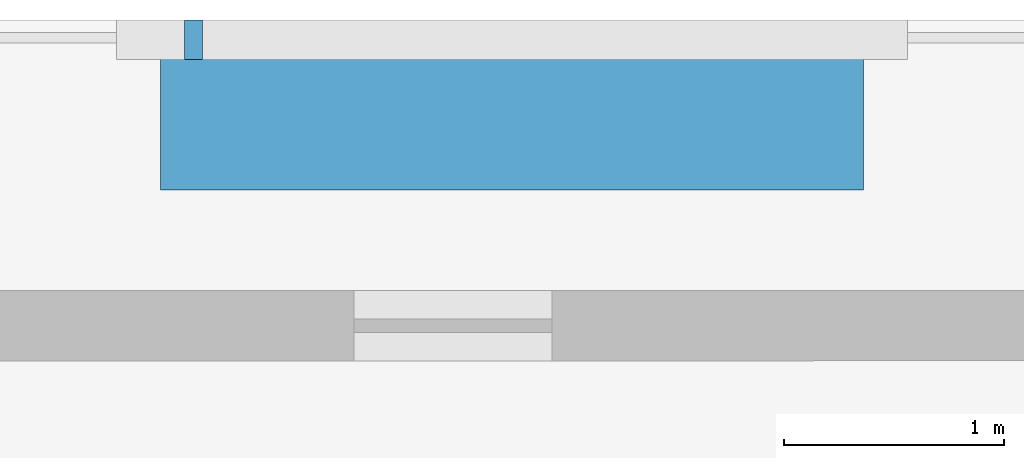
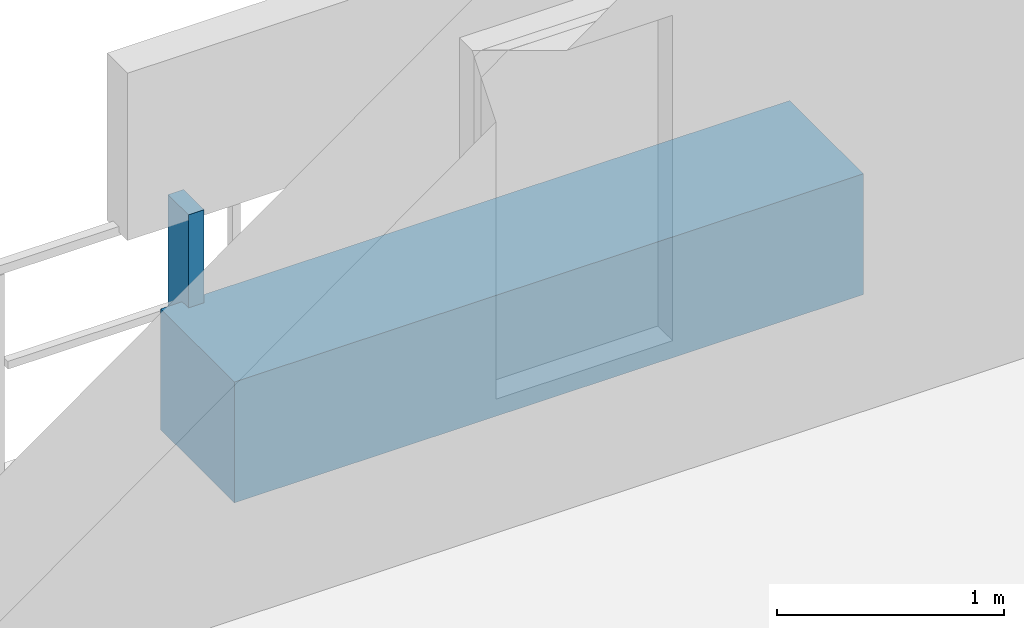
# One storey, part 27 of 32: 2 discrete accessories.
"""IFC4 building model written with IfcOpenShell, lengths in metres."""

from ifc_helpers import new_model, si_unit, direction, frame, origin, origin_2d, place, context, subcontext, project, spatial, rectangle, extrude, material, type_object, element, save


model = new_model("IFC4")

# Units and contexts
model_context = context("Model", 3, precision=1e-05, world=origin(), true_north=direction((0.0, 1.0)))
body_context = subcontext(model_context, "Body", "Model", "MODEL_VIEW")
ifc_project = project(units=[si_unit("LENGTHUNIT", "METRE"), si_unit("AREAUNIT", "SQUARE_METRE"), si_unit("VOLUMEUNIT", "CUBIC_METRE"), si_unit("PLANEANGLEUNIT", "RADIAN"), si_unit("MASSUNIT", "GRAM", prefix="KILO")], contexts=[model_context])

# Site, building, storey
site_placement = place(None, origin())
site = spatial("IfcSite", under=ifc_project, at=site_placement, CompositionType="ELEMENT")
building_placement = place(site_placement, origin())
building = spatial("IfcBuilding", under=site, at=building_placement, Name="Thornwick Lancets Civic Towers", CompositionType="ELEMENT")
storey_placement = place(building_placement, frame((0.0, 0.0, 182.10009765625)))
storey = spatial("IfcBuildingStorey", under=building, at=storey_placement, Name="L48", CompositionType="ELEMENT", Elevation=182.10009765625)

# Discrete accessories
ifc_material_1 = material(Name="Planted terracotta greenery planter", Category="masonry")
discrete_accessory_type_1 = type_object("IfcDiscreteAccessoryType", Name="ACC_PLANTER_BOX", PredefinedType="USERDEFINED", material=ifc_material_1)
discrete_accessory_1_placement = place(storey_placement, frame((25.5, 51.699951171875, 0.0), z_axis=(0.0, 0.0, 1.0), x_axis=(1.0, 0.0, 0.0)))
element("IfcDiscreteAccessory", 1, at=discrete_accessory_1_placement, inside=storey, type_object=discrete_accessory_type_1, Name="L48 Tower A Balcony Greenery Planter N", ObjectType="PLANTER", PredefinedType="USERDEFINED", context=body_context, shape_type="SweptSolid", body=[
    extrude(rectangle(XDim=3.199951171875, YDim=0.64990234375, at=origin_2d()), origin(), (0.0, 0.0, 1.0), 0.64990234375),
])
ifc_material_2 = material(Name="Stainless steel S355", Category="steel")
discrete_accessory_type_2 = type_object("IfcDiscreteAccessoryType", Name="ACC_SCREEN_BRACKET", PredefinedType="BRACKET", material=ifc_material_2)
discrete_accessory_2_placement = place(storey_placement, frame((24.050048828125, 52.06005859375, 0.0), z_axis=(0.0, 0.0, 1.0), x_axis=(1.0, 0.0, 0.0)))
element("IfcDiscreteAccessory", 2, at=discrete_accessory_2_placement, inside=storey, type_object=discrete_accessory_type_2, Name="L48 Tower A Balcony Screen Stanchion Bracket N-1", PredefinedType="BRACKET", context=body_context, shape_type="SweptSolid", body=[
    extrude(rectangle(XDim=0.080078125, YDim=0.179931640625, at=origin_2d()), origin(), (0.0, 0.0, 1.0), 1.14990234375),
])

save(model, "model.ifc")
